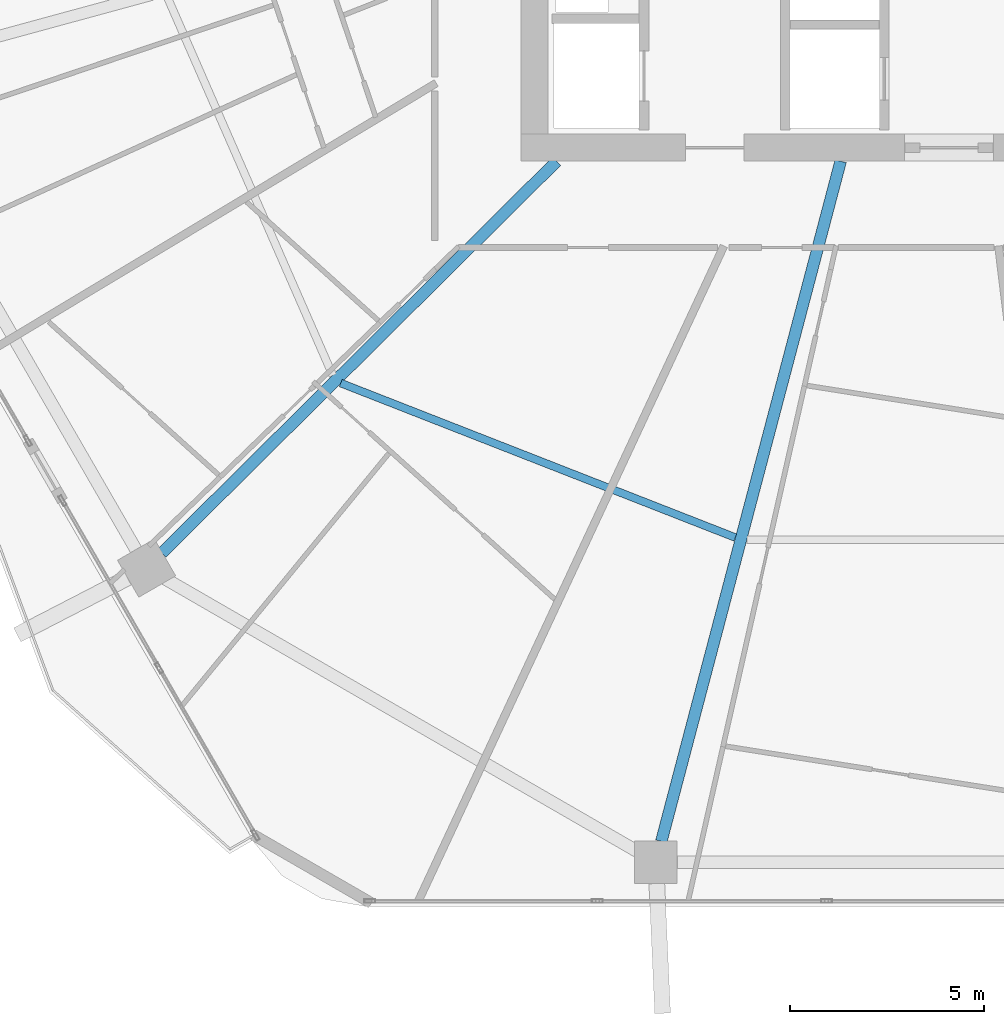
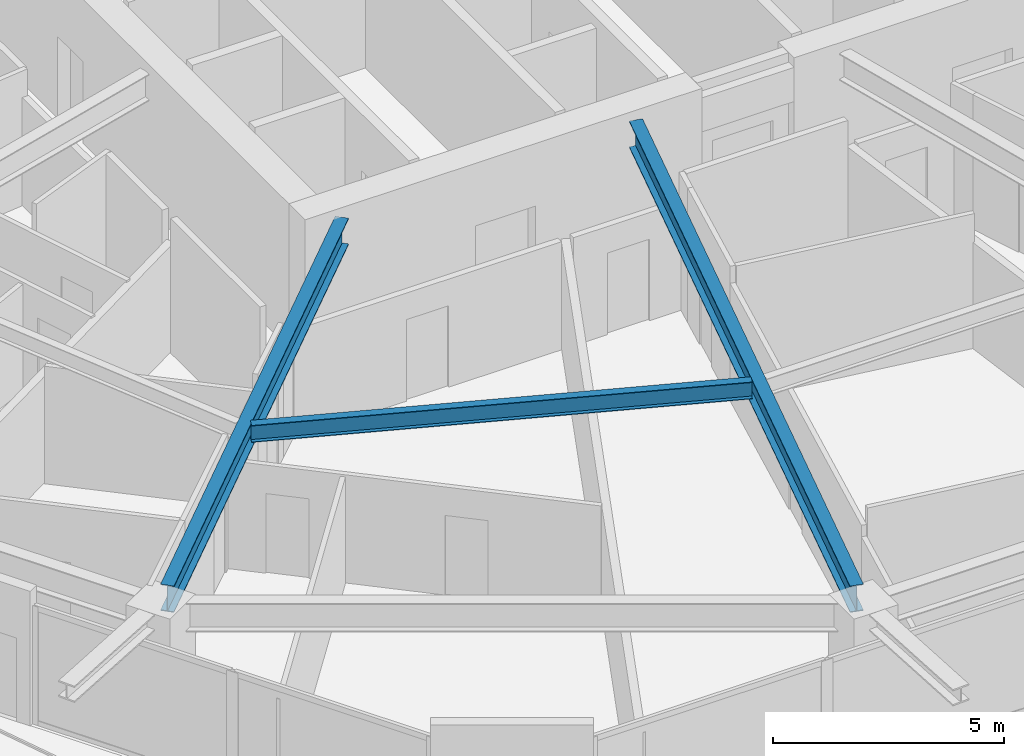
# One storey, part 4 of 32: 3 beams.
"""IFC4 building model written with IfcOpenShell, lengths in metres."""

from ifc_helpers import new_model, si_unit, direction, frame, origin, origin_2d, place, context, subcontext, project, spatial, i_section, extrude, material, material_profile, profile_set, type_object, element, save


model = new_model("IFC4")

# Units and contexts
model_context = context("Model", 3, precision=1e-05, world=origin(), true_north=direction((0.0, 1.0)))
body_context = subcontext(model_context, "Body", "Model", "MODEL_VIEW")
ifc_project = project(units=[si_unit("LENGTHUNIT", "METRE"), si_unit("AREAUNIT", "SQUARE_METRE"), si_unit("VOLUMEUNIT", "CUBIC_METRE"), si_unit("PLANEANGLEUNIT", "RADIAN"), si_unit("MASSUNIT", "GRAM", prefix="KILO")], contexts=[model_context])

# Site, building, storey
site_placement = place(None, origin())
site = spatial("IfcSite", under=ifc_project, at=site_placement, CompositionType="ELEMENT")
building_placement = place(site_placement, origin())
building = spatial("IfcBuilding", under=site, at=building_placement, Name="Zuhravey Tower", CompositionType="ELEMENT")
storey_placement = place(building_placement, frame((0.0, 0.0, 111.39990234375)))
storey = spatial("IfcBuildingStorey", under=building, at=storey_placement, Name="L27", CompositionType="ELEMENT", Elevation=111.39990234375)

# Beams
ifc_material = material(Name="Steel SM355", Category="steel")
ifc_material_profile_1 = material_profile(ifc_material, i_section(OverallWidth=0.300048828125, OverallDepth=0.699951171875, WebThickness=0.012939453125, FlangeThickness=0.02392578125, at=origin_2d()), Name="H-700x300x13x24")
ifc_profile_set_1 = profile_set([ifc_material_profile_1], Name="Steel SM355")
beam_type_1 = type_object("IfcBeamType", Name="Radial Primary Girder H700x300", PredefinedType="BEAM", material=ifc_profile_set_1)
beam_1_placement = place(storey_placement, frame((26.068603515625, 22.14697265625, 3.2001953125), z_axis=(-0.709906230344, -0.704296204816, 0.0), x_axis=(0.704296204816, -0.709906230344, 0.0)))
element("IfcBeam", 1, at=beam_1_placement, inside=storey, type_object=beam_type_1, Name="L27 RG1 BM-L27-RAD-08", PredefinedType="BEAM", context=body_context, shape_type="SweptSolid", body=[
    extrude(i_section(OverallWidth=0.300048828125, OverallDepth=0.699951171875, WebThickness=0.012939453125, FlangeThickness=0.02392578125, at=origin_2d()), origin(), (0.0, 0.0, 1.0), 14.361083984375),
])
beam_2_placement = place(storey_placement, frame((33.40185546875, 22.14697265625, 3.2001953125), z_axis=(-0.25498755891, -0.966944333869, 0.0), x_axis=(0.966944333869, -0.25498755891, 0.0)))
element("IfcBeam", 2, at=beam_2_placement, inside=storey, type_object=beam_type_1, Name="L27 RG1 BM-L27-RAD-09", PredefinedType="BEAM", context=body_context, shape_type="SweptSolid", body=[
    extrude(i_section(OverallWidth=0.300048828125, OverallDepth=0.699951171875, WebThickness=0.012939453125, FlangeThickness=0.02392578125, at=origin_2d()), origin(), (0.0, 0.0, 1.0), 18.1611328125),
])
ifc_material_profile_2 = material_profile(ifc_material, i_section(OverallWidth=0.199951171875, OverallDepth=0.449951171875, WebThickness=0.009033203125, FlangeThickness=0.013916015625, at=origin_2d()), Name="H-450x200x9x14")
ifc_profile_set_2 = profile_set([ifc_material_profile_2], Name="Steel SM355")
beam_type_2 = type_object("IfcBeamType", Name="Secondary Floor Joist H450x200", PredefinedType="JOIST", material=ifc_profile_set_2)
beam_3_placement = place(storey_placement, frame((20.49462890625, 16.418701171875, 3.3251953125), z_axis=(0.931216764731, -0.364465824302, 0.0), x_axis=(0.364465824302, 0.931216764731, 0.0)))
element("IfcBeam", 3, at=beam_3_placement, inside=storey, type_object=beam_type_2, Name="L27 SJ1 BM-L27-SJ-08-1", PredefinedType="JOIST", context=body_context, shape_type="SweptSolid", body=[
    extrude(i_section(OverallWidth=0.199951171875, OverallDepth=0.449951171875, WebThickness=0.009033203125, FlangeThickness=0.013916015625, at=origin_2d()), origin(), (0.0, 0.0, 1.0), 10.939453125),
])

save(model, "model.ifc")
